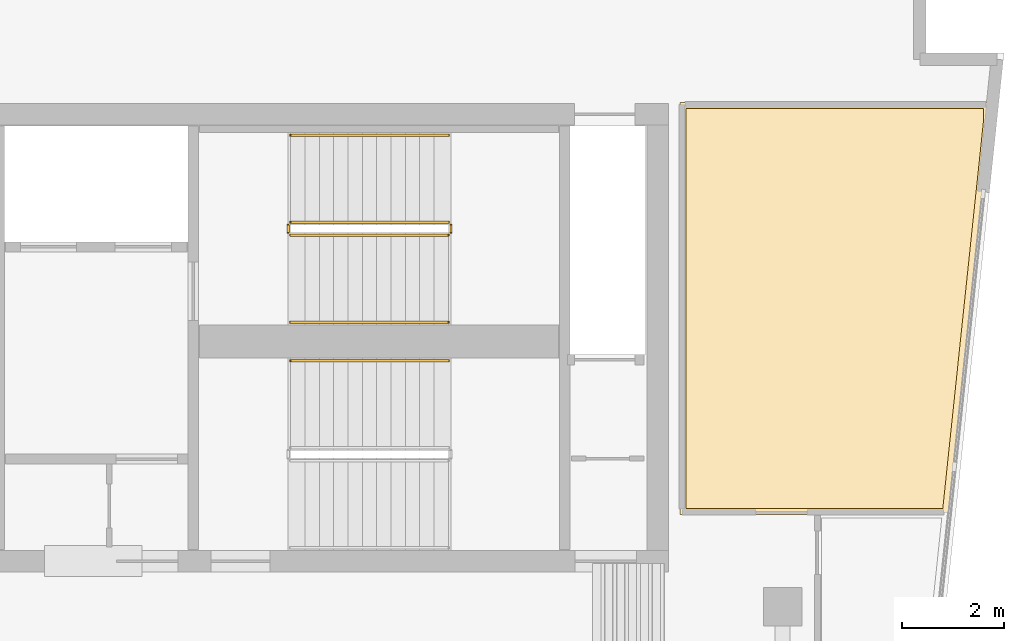
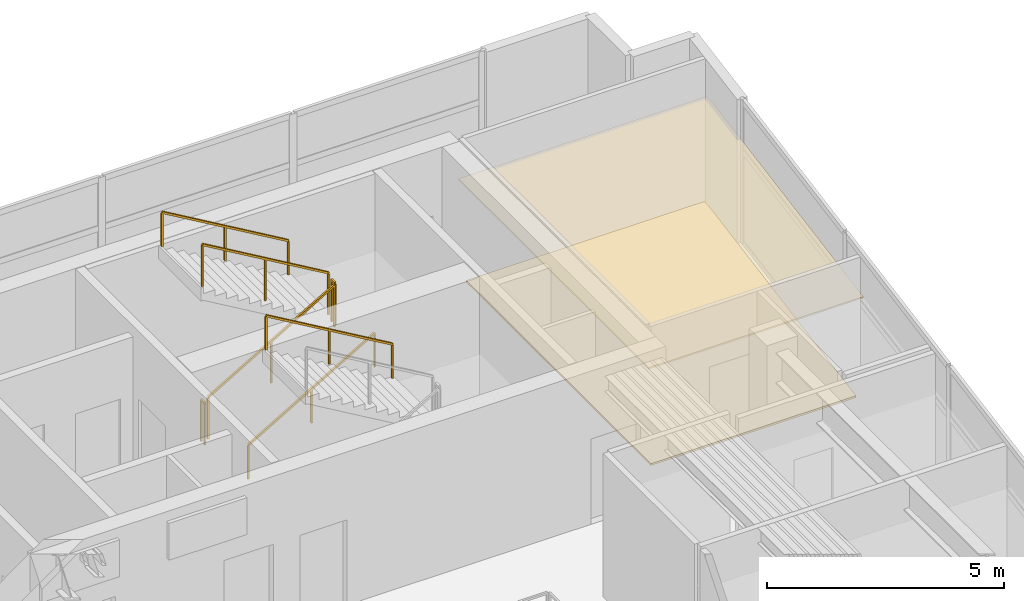
# One storey, part 6 of 6: 7 railings, 2 coverings.
"""IFC4 building model written with IfcOpenShell, lengths in metres."""

from ifc_helpers import new_model, si_unit, direction, frame, origin, origin_2d, place, context, subcontext, project, spatial, polyline, rectangle, outline, extrude, material, layer, layer_set, type_object, element, save


model = new_model("IFC4")

# Units and contexts
model_context = context("Model", 3, precision=1e-05, world=origin(), true_north=direction((0.0, 1.0)))
body_context = subcontext(model_context, "Body", "Model", "MODEL_VIEW")
ifc_project = project(units=[si_unit("LENGTHUNIT", "METRE"), si_unit("AREAUNIT", "SQUARE_METRE"), si_unit("VOLUMEUNIT", "CUBIC_METRE"), si_unit("PLANEANGLEUNIT", "RADIAN"), si_unit("MASSUNIT", "GRAM", prefix="KILO")], contexts=[model_context])

# Site, building, storey
site_placement = place(None, origin())
site = spatial("IfcSite", under=ifc_project, at=site_placement, CompositionType="ELEMENT")
building_placement = place(site_placement, origin())
building = spatial("IfcBuilding", under=site, at=building_placement, Name="Caeloran Harvest Quay", CompositionType="ELEMENT")
storey_placement = place(building_placement, frame((0.0, 0.0, 280.39990234375)))
storey = spatial("IfcBuildingStorey", under=building, at=storey_placement, Name="L67", CompositionType="ELEMENT", Elevation=280.39990234375)

# Coverings
ifc_material_1 = material(Name="Perforated Mineral-Fibre Acoustic Ceiling Tile", Category="ceiling")
ifc_layer_1 = layer(ifc_material_1, 0.0400390625, Name="Perforated Mineral-Fibre Acoustic Ceiling Tile")
ifc_layer_set_1 = layer_set([ifc_layer_1], Name="Perforated Mineral-Fibre Acoustic Ceiling Tile")
covering_type_1 = type_object("IfcCoveringType", Name="COV-CEILING-ACOUSTIC", PredefinedType="CEILING", material=ifc_layer_set_1)
covering_1_placement = place(storey_placement, frame((0.0, 0.0, 2.60009765625)))
element("IfcCovering", 1, at=covering_1_placement, inside=storey, type_object=covering_type_1, Name="L67 Bioinformatics and Crop Phenotyping Laboratory Acoustic Ceiling", PredefinedType="CEILING", context=body_context, shape_type="SweptSolid", body=[
    extrude(outline(polyline([(29.54150390625, 40.475341796875), (28.7353515625, 32.800048828125), (23.5, 32.800048828125), (23.5, 40.840087890625), (29.54150390625, 40.840087890625), (29.54150390625, 40.475341796875)])), origin(), (0.0, 0.0, 1.0), 0.0400390625),
])
ifc_material_2 = material(Name="Calcium-Sulphate Raised Access Floor and Terrazzo Finish", Category="flooring")
ifc_layer_2 = layer(ifc_material_2, 0.050048828125, Name="Calcium-Sulphate Raised Access Floor and Terrazzo Finish")
ifc_layer_set_2 = layer_set([ifc_layer_2], Name="Calcium-Sulphate Raised Access Floor and Terrazzo Finish")
covering_type_2 = type_object("IfcCoveringType", Name="COV-FLOOR-RAISED", PredefinedType="FLOORING", material=ifc_layer_set_2)
covering_2_placement = place(storey_placement, origin())
element("IfcCovering", 2, at=covering_2_placement, inside=storey, type_object=covering_type_2, Name="L67 Bioinformatics and Crop Phenotyping Laboratory Raised Finish Flooring", PredefinedType="FLOORING", context=body_context, shape_type="SweptSolid", body=[
    extrude(outline(polyline([(29.42138671875, 40.481689453125), (28.627197265625, 32.919921875), (23.6201171875, 32.919921875), (23.6201171875, 40.719970703125), (29.42138671875, 40.719970703125), (29.42138671875, 40.481689453125)])), origin(), (0.0, 0.0, 1.0), 0.050048828125),
])

# Railings
ifc_material_3 = material(Name="Painted Steel Baluster and Top-Rail Stair Guard", Category="steel")
ifc_layer_3 = layer(ifc_material_3, 0.050048828125, Name="Painted Steel Baluster and Top-Rail Stair Guard")
ifc_layer_set_3 = layer_set([ifc_layer_3], Name="Painted Steel Baluster and Top-Rail Stair Guard")
railing_type_1 = type_object("IfcRailingType", Name="STAIR-GUARD-1100", PredefinedType="GUARDRAIL", material=ifc_layer_set_3)
railing_1_placement = place(storey_placement, frame((15.89990234375, 38.25, 0.164794921875)))
element("IfcRailing", 3, at=railing_1_placement, inside=storey, type_object=railing_type_1, Name="L67 ST-C1 stair guard 1", PredefinedType="GUARDRAIL", context=body_context, shape_type="SweptSolid", body=[
    extrude(rectangle(XDim=0.048095703125, YDim=0.048095703125, at=origin_2d()), frame((0.0, 0.0, 1.076171875), z_axis=(0.862118610829, 0.0, 0.506706523406), x_axis=(0.0, 1.0, 0.0)), (0.0, 0.0, 1.0), 3.57275390625),
    extrude(rectangle(XDim=0.0419921875, YDim=0.0419921875, at=origin_2d()), origin(), (0.0, 0.0, 1.0), 1.052001953125),
    extrude(rectangle(XDim=0.0419921875, YDim=0.0419921875, at=origin_2d()), frame((1.5400390625, 0.0, 0.9052734375)), (0.0, 0.0, 1.0), 1.052001953125),
    extrude(rectangle(XDim=0.0419921875, YDim=0.0419921875, at=origin_2d()), frame((3.080078125, 0.0, 1.810302734375)), (0.0, 0.0, 1.0), 1.052001953125),
])
railing_2_placement = place(storey_placement, frame((19.030029296875, 38.300048828125, 1.97509765625)))
element("IfcRailing", 4, at=railing_2_placement, inside=storey, type_object=railing_type_1, Name="L67 ST-C1 stair guard 2", PredefinedType="GUARDRAIL", context=body_context, shape_type="SweptSolid", body=[
    extrude(rectangle(XDim=0.048095703125, YDim=0.048095703125, at=origin_2d()), frame((0.0, 0.0, 1.076171875), z_axis=(0.0, 1.0, 0.0), x_axis=(-1.0, 0.0, 0.0)), (0.0, 0.0, 1.0), 0.14990234375),
    extrude(rectangle(XDim=0.0419921875, YDim=0.0419921875, at=origin_2d()), origin(), (0.0, 0.0, 1.0), 1.052001953125),
    extrude(rectangle(XDim=0.0419921875, YDim=0.0419921875, at=origin_2d()), frame((0.0, 0.14990234375, 0.0)), (0.0, 0.0, 1.0), 1.052001953125),
])
railing_3_placement = place(storey_placement, frame((18.97998046875, 38.5, 2.1396484375)))
element("IfcRailing", 5, at=railing_3_placement, inside=storey, type_object=railing_type_1, Name="L67 ST-C1 stair guard 3", PredefinedType="GUARDRAIL", context=body_context, shape_type="SweptSolid", body=[
    extrude(rectangle(XDim=0.048095703125, YDim=0.048095703125, at=origin_2d()), frame((0.0, 0.0, 1.076171875), z_axis=(-0.862088758681, 0.0, 0.506757310905), x_axis=(0.0, -1.0, 0.0)), (0.0, 0.0, 1.0), 3.57275390625),
    extrude(rectangle(XDim=0.0419921875, YDim=0.0419921875, at=origin_2d()), origin(), (0.0, 0.0, 1.0), 1.052001953125),
    extrude(rectangle(XDim=0.0419921875, YDim=0.0419921875, at=origin_2d()), frame((-1.5400390625, 0.0, 0.9052734375)), (0.0, 0.0, 1.0), 1.052001953125),
    extrude(rectangle(XDim=0.0419921875, YDim=0.0419921875, at=origin_2d()), frame((-3.080078125, 0.0, 1.810546875)), (0.0, 0.0, 1.0), 1.052001953125),
])
railing_4_placement = place(storey_placement, frame((15.85009765625, 38.300048828125, 0.0)))
element("IfcRailing", 6, at=railing_4_placement, inside=storey, type_object=railing_type_1, Name="L67 ST-C1 stair guard 4", PredefinedType="GUARDRAIL", context=body_context, shape_type="SweptSolid", body=[
    extrude(rectangle(XDim=0.048095703125, YDim=0.048095703125, at=origin_2d()), frame((0.0, 0.0, 1.076171875), z_axis=(0.0, 1.0, 0.0), x_axis=(-1.0, 0.0, 0.0)), (0.0, 0.0, 1.0), 0.14990234375),
    extrude(rectangle(XDim=0.0419921875, YDim=0.0419921875, at=origin_2d()), origin(), (0.0, 0.0, 1.0), 1.052001953125),
    extrude(rectangle(XDim=0.0419921875, YDim=0.0419921875, at=origin_2d()), frame((0.0, 0.14990234375, 0.0)), (0.0, 0.0, 1.0), 1.052001953125),
])
ifc_material_4 = material(Name="Brushed Stainless Steel Grade 304", Category="steel")
ifc_layer_4 = layer(ifc_material_4, 0.050048828125, Name="Brushed Stainless Steel Grade 304")
ifc_layer_set_4 = layer_set([ifc_layer_4], Name="Brushed Stainless Steel Grade 304")
railing_type_2 = type_object("IfcRailingType", Name="STAIR-HANDRAIL-900", PredefinedType="HANDRAIL", material=ifc_layer_set_4)
railing_5_placement = place(storey_placement, frame((15.89990234375, 36.550048828125, 0.164794921875)))
element("IfcRailing", 7, at=railing_5_placement, inside=storey, type_object=railing_type_2, Name="L67 ST-C1 stair handrail 1", PredefinedType="HANDRAIL", context=body_context, shape_type="SweptSolid", body=[
    extrude(rectangle(XDim=0.048095703125, YDim=0.048095703125, at=origin_2d()), frame((0.0, 0.0, 0.8759765625), z_axis=(0.862118610829, 0.0, 0.506706523406), x_axis=(0.0, 1.0, 0.0)), (0.0, 0.0, 1.0), 3.57275390625),
    extrude(rectangle(XDim=0.0419921875, YDim=0.0419921875, at=origin_2d()), origin(), (0.0, 0.0, 1.0), 0.851806640625),
    extrude(rectangle(XDim=0.0419921875, YDim=0.0419921875, at=origin_2d()), frame((1.5400390625, 0.0, 0.9052734375)), (0.0, 0.0, 1.0), 0.851806640625),
    extrude(rectangle(XDim=0.0419921875, YDim=0.0419921875, at=origin_2d()), frame((3.080078125, 0.0, 1.810302734375)), (0.0, 0.0, 1.0), 0.851806640625),
])
for number, where, name in (
    (8, (18.97998046875, 40.199951171875, 2.1396484375), "L67 ST-C1 stair handrail 2"),
    (9, (18.97998046875, 35.800048828125, 2.1396484375), "L67 ST-C2 stair handrail 2"),
):
    element("IfcRailing", number, at=place(storey_placement, frame(where)), inside=storey, type_object=railing_type_2, Name=name, PredefinedType="HANDRAIL", context=body_context, shape_type="SweptSolid", body=[
        extrude(rectangle(XDim=0.048095703125, YDim=0.048095703125, at=origin_2d()), frame((0.0, 0.0, 0.8759765625), z_axis=(-0.862088758681, 0.0, 0.506757310905), x_axis=(0.0, -1.0, 0.0)), (0.0, 0.0, 1.0), 3.57275390625),
        extrude(rectangle(XDim=0.0419921875, YDim=0.0419921875, at=origin_2d()), origin(), (0.0, 0.0, 1.0), 0.851806640625),
        extrude(rectangle(XDim=0.0419921875, YDim=0.0419921875, at=origin_2d()), frame((-1.5400390625, 0.0, 0.9052734375)), (0.0, 0.0, 1.0), 0.851806640625),
        extrude(rectangle(XDim=0.0419921875, YDim=0.0419921875, at=origin_2d()), frame((-3.080078125, 0.0, 1.810546875)), (0.0, 0.0, 1.0), 0.851806640625),
    ])

save(model, "model.ifc")
